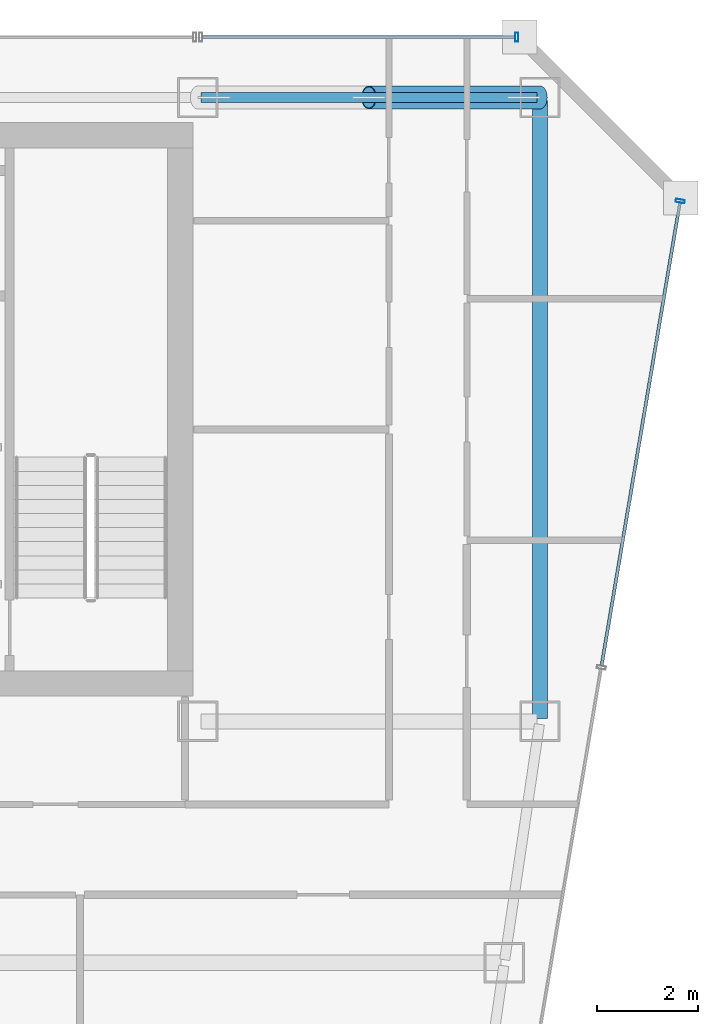
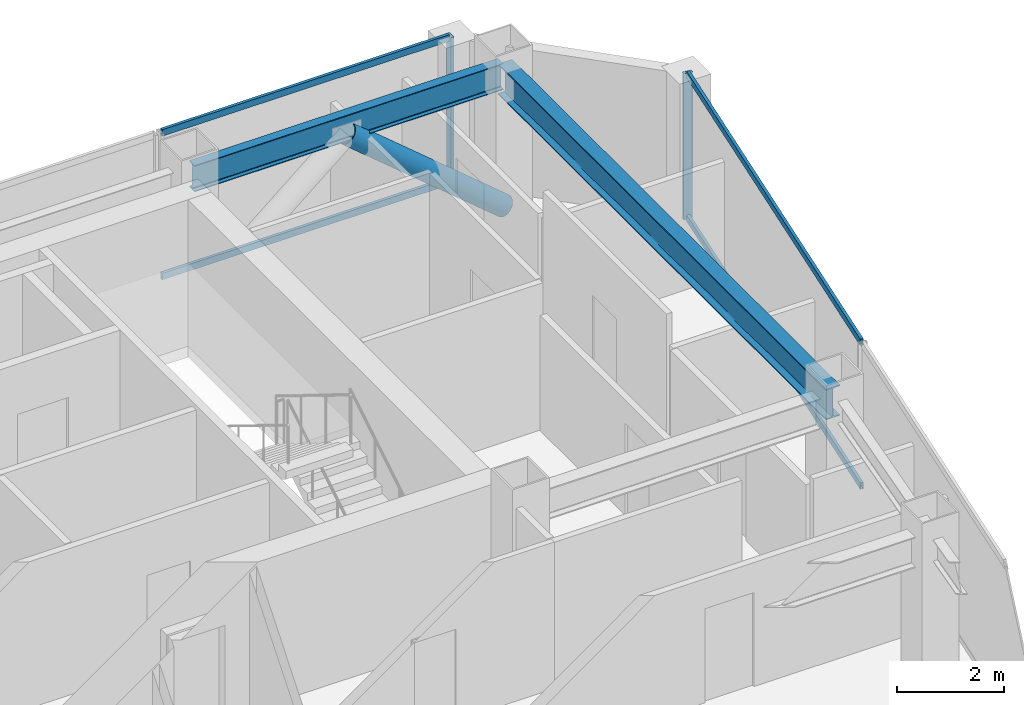
# One storey, part 25 of 34: 7 members, 2 beams, 2 elements without a shape of their own.
"""IFC4 building model written with IfcOpenShell, lengths in metres."""

from ifc_helpers import new_model, si_unit, direction, frame, origin, origin_2d, place, context, subcontext, project, spatial, hollow_rectangle, hollow_circle, i_section, extrude, material, material_profile, profile_set, type_object, element, aggregate, save


model = new_model("IFC4")

# Units and contexts
model_context = context("Model", 3, precision=1e-05, world=origin(), true_north=direction((0.0, 1.0)))
body_context = subcontext(model_context, "Body", "Model", "MODEL_VIEW")
ifc_project = project(units=[si_unit("LENGTHUNIT", "METRE"), si_unit("AREAUNIT", "SQUARE_METRE"), si_unit("VOLUMEUNIT", "CUBIC_METRE"), si_unit("PLANEANGLEUNIT", "RADIAN"), si_unit("MASSUNIT", "GRAM", prefix="KILO")], contexts=[model_context])

# Site, building, storey
site_placement = place(None, origin())
site = spatial("IfcSite", under=ifc_project, at=site_placement, CompositionType="ELEMENT")
building_placement = place(site_placement, origin())
building = spatial("IfcBuilding", under=site, at=building_placement, Name="Saevonmaru Cultural Tower", CompositionType="ELEMENT")
storey_placement = place(building_placement, frame((0.0, 0.0, 220.800048828125)))
storey = spatial("IfcBuildingStorey", under=building, at=storey_placement, Name="L51", CompositionType="ELEMENT", Elevation=220.800048828125)

# Beams
ifc_material_1 = material(Name="Steel SM355", Category="steel")
ifc_material_profile_1 = material_profile(ifc_material_1, i_section(OverallWidth=0.300048828125, OverallDepth=0.699951171875, WebThickness=0.012939453125, FlangeThickness=0.02392578125, FilletRadius=0.02587890625, at=origin_2d()), Name="H-700x300x13x24")
ifc_profile_set_1 = profile_set([ifc_material_profile_1], Name="Steel SM355")
beam_type_1 = type_object("IfcBeamType", Name="BM-G-H700", PredefinedType="BEAM", material=ifc_profile_set_1)
beam_1_placement = place(storey_placement, frame((53.199951171875, 54.739990234375, 3.0), z_axis=(0.0, -1.0, 0.0), x_axis=(1.0, 0.0, 0.0)))
element("IfcBeam", 1, at=beam_1_placement, inside=storey, type_object=beam_type_1, Name="L51 Spine Transverse Girder E", PredefinedType="BEAM", context=body_context, shape_type="SweptSolid", body=[
    extrude(i_section(OverallWidth=0.300048828125, OverallDepth=0.699951171875, WebThickness=0.012939453125, FlangeThickness=0.02392578125, FilletRadius=0.02587890625, at=origin_2d()), origin(), (0.0, 0.0, 1.0), 12.280029296875),
])
ifc_material_profile_2 = material_profile(ifc_material_1, i_section(OverallWidth=0.199951171875, OverallDepth=0.60009765625, WebThickness=0.010986328125, FlangeThickness=0.01708984375, FilletRadius=0.02197265625, at=origin_2d()), Name="H-600x200x11x17")
ifc_profile_set_2 = profile_set([ifc_material_profile_2], Name="Steel SM355")
beam_type_2 = type_object("IfcBeamType", Name="BM-SP-H600", PredefinedType="SPANDREL", material=ifc_profile_set_2)
beam_2_placement = place(storey_placement, frame((46.4599609375, 54.800048828125, 3.050048828125), z_axis=(1.0, 0.0, 0.0), x_axis=(0.0, 1.0, 0.0)))
element("IfcBeam", 2, at=beam_2_placement, inside=storey, type_object=beam_type_2, Name="L51 North Spine Girder 5", PredefinedType="SPANDREL", context=body_context, shape_type="SweptSolid", body=[
    extrude(i_section(OverallWidth=0.199951171875, OverallDepth=0.60009765625, WebThickness=0.010986328125, FlangeThickness=0.01708984375, FilletRadius=0.02197265625, at=origin_2d()), origin(), (0.0, 0.0, 1.0), 6.679931640625),
])

# Member
ifc_material_2 = material(Name="Steel SM420", Category="steel")
ifc_material_profile_3 = material_profile(ifc_material_2, hollow_circle(Radius=0.228515625, WallThickness=0.02001953125, at=origin_2d()), Name="CHS-457.2x20")
ifc_profile_set_3 = profile_set([ifc_material_profile_3], Name="Steel SM420")
member_type_1 = type_object("IfcMemberType", Name="MB-PBR-CHS457", PredefinedType="BRACE", material=ifc_profile_set_3)
member_1_placement = place(storey_placement, frame((53.199951171875, 54.800048828125, 0.02001953125), z_axis=(-0.7663776857, 0.0, 0.642390257445), x_axis=(0.0, -1.0, 0.0)))
element("IfcMember", 3, at=member_1_placement, inside=storey, type_object=member_type_1, Name="L51 Perimeter Braced-Tube Diagonal EN2", PredefinedType="BRACE", context=body_context, shape_type="SweptSolid", body=[
    extrude(hollow_circle(Radius=0.228515625, WallThickness=0.02001953125, at=origin_2d()), origin(), (0.0, 0.0, 1.0), 4.436279296875),
])

# Curtain wall, member
ifc_material_3 = material(Name="Satin Bronze Anodised Aluminium", Category="aluminium")
curtain_wall_type = type_object("IfcCurtainWallType", Name="CW-TYP-B", PredefinedType="NOTDEFINED", material=ifc_material_3)
curtain_wall_1_placement = place(storey_placement, origin())
curtain_wall_1 = element("IfcCurtainWall", 4, at=curtain_wall_1_placement, inside=storey, type_object=curtain_wall_type, Name="L51 Unitised Curtain Wall E8", PredefinedType="NOTDEFINED")
ifc_material_profile_4 = material_profile(ifc_material_3, hollow_rectangle(XDim=0.06494140625, YDim=0.179931640625, WallThickness=0.00390625, at=origin_2d()), Name="ALU-MULL-180x65x4")
ifc_profile_set_4 = profile_set([ifc_material_profile_4], Name="Satin Bronze Anodised Aluminium")
member_type_2 = type_object("IfcMemberType", Name="ML-CW-180x65", PredefinedType="MULLION", material=ifc_profile_set_4)
member_2_placement = place(storey_placement, frame((55.989990234375, 52.74072265625, 0.0), z_axis=(0.0, 0.0, 1.0), x_axis=(0.16692169721, 0.985970155228, 0.0)))
member_2 = element("IfcMember", 5, at=member_2_placement, type_object=member_type_2, Name="CW-TW-L51-E8 mullion 5", PredefinedType="MULLION", context=body_context, shape_type="SweptSolid", body=[
    extrude(hollow_rectangle(XDim=0.06494140625, YDim=0.179931640625, WallThickness=0.00390625, at=origin_2d()), origin(), (0.0, 0.0, 1.0), 3.349853515625),
])

curtain_wall_2_placement = place(storey_placement, origin())
curtain_wall_2 = element("IfcCurtainWall", 6, at=curtain_wall_2_placement, inside=storey, type_object=curtain_wall_type, Name="L51 East Braced Bay Spandrel Curtain Wall E10A", PredefinedType="NOTDEFINED")
member_3_placement = place(storey_placement, frame((52.739990234375, 56.0, 0.0), z_axis=(0.0, 0.0, 1.0), x_axis=(-1.0, 0.0, 0.0)))
member_3 = element("IfcMember", 7, at=member_3_placement, type_object=member_type_2, Name="CW-TW-L51-E10A mullion 1", PredefinedType="MULLION", context=body_context, shape_type="SweptSolid", body=[
    extrude(hollow_rectangle(XDim=0.06494140625, YDim=0.179931640625, WallThickness=0.00390625, at=origin_2d()), origin(), (0.0, 0.0, 1.0), 3.349853515625),
])

# Member
ifc_material_profile_5 = material_profile(ifc_material_3, hollow_rectangle(XDim=0.06494140625, YDim=0.14990234375, WallThickness=0.00390625, at=origin_2d()), Name="ALU-TRAN-150x65x4")
ifc_profile_set_5 = profile_set([ifc_material_profile_5], Name="Satin Bronze Anodised Aluminium")
member_type_3 = type_object("IfcMemberType", Name="TR-CW-150x65", PredefinedType="USERDEFINED", material=ifc_profile_set_5)
member_4_placement = place(storey_placement, frame((54.426025390625, 43.50244140625, 0.032470703125), z_axis=(0.166921263871, 0.985970228591, 0.0), x_axis=(-0.985970228591, 0.166921263871, 0.0)))
member_4 = element("IfcMember", 8, at=member_4_placement, type_object=member_type_3, Name="CW-TW-L51-E8 transom 4.1", ObjectType="TRANSOM", PredefinedType="USERDEFINED", context=body_context, shape_type="SweptSolid", body=[
    extrude(hollow_rectangle(XDim=0.06494140625, YDim=0.14990234375, WallThickness=0.00390625, at=origin_2d()), origin(), (0.0, 0.0, 1.0), 9.33740234375),
])

member_5_placement = place(storey_placement, frame((54.426025390625, 43.50244140625, 3.3173828125), z_axis=(0.166921263871, 0.985970228591, 0.0), x_axis=(-0.985970228591, 0.166921263871, 0.0)))
member_5 = element("IfcMember", 9, at=member_5_placement, type_object=member_type_3, Name="CW-TW-L51-E8 transom 4.2", ObjectType="TRANSOM", PredefinedType="USERDEFINED", context=body_context, shape_type="SweptSolid", body=[
    extrude(hollow_rectangle(XDim=0.06494140625, YDim=0.14990234375, WallThickness=0.00390625, at=origin_2d()), origin(), (0.0, 0.0, 1.0), 9.33740234375),
])

aggregate(curtain_wall_1, [member_2, member_4, member_5])

member_6_placement = place(storey_placement, frame((52.70751953125, 56.0, 0.032470703125), z_axis=(-1.0, 0.0, 0.0), x_axis=(0.0, -1.0, 0.0)))
member_6 = element("IfcMember", 10, at=member_6_placement, type_object=member_type_3, Name="CW-TW-L51-E10A transom 1.1", ObjectType="TRANSOM", PredefinedType="USERDEFINED", context=body_context, shape_type="SweptSolid", body=[
    extrude(hollow_rectangle(XDim=0.06494140625, YDim=0.14990234375, WallThickness=0.00390625, at=origin_2d()), origin(), (0.0, 0.0, 1.0), 6.215087890625),
])

member_7_placement = place(storey_placement, frame((52.70751953125, 56.0, 3.3173828125), z_axis=(-1.0, 0.0, 0.0), x_axis=(0.0, -1.0, 0.0)))
member_7 = element("IfcMember", 11, at=member_7_placement, type_object=member_type_3, Name="CW-TW-L51-E10A transom 1.2", ObjectType="TRANSOM", PredefinedType="USERDEFINED", context=body_context, shape_type="SweptSolid", body=[
    extrude(hollow_rectangle(XDim=0.06494140625, YDim=0.14990234375, WallThickness=0.00390625, at=origin_2d()), origin(), (0.0, 0.0, 1.0), 6.215087890625),
])

aggregate(curtain_wall_2, [member_3, member_6, member_7])

save(model, "model.ifc")
